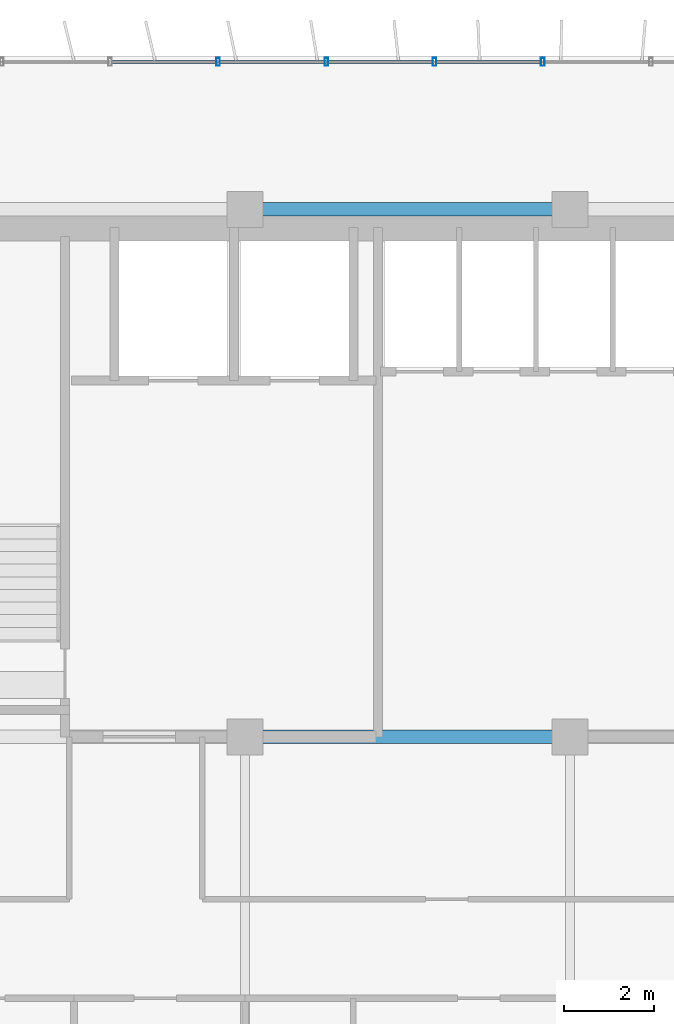
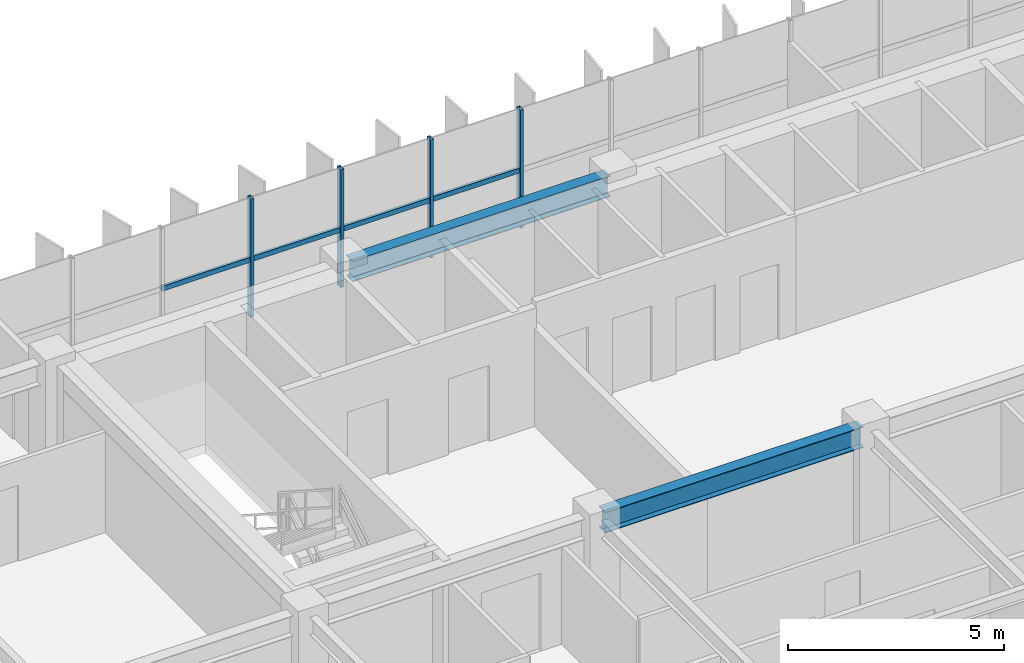
# One storey, part 6 of 22: 8 members, 2 beams, 1 element without a shape of its own.
"""IFC4 building model written with IfcOpenShell, lengths in metres."""

from ifc_helpers import new_model, si_unit, direction, frame, origin, origin_2d, place, context, subcontext, project, spatial, hollow_rectangle, i_section, extrude, source, transform, mapped, material, material_profile, profile_set, type_object, element, aggregate, save


model = new_model("IFC4")

# Units and contexts
model_context = context("Model", 3, precision=1e-05, world=origin(), true_north=direction((0.0, 1.0)))
body_context = subcontext(model_context, "Body", "Model", "MODEL_VIEW")
ifc_project = project(units=[si_unit("LENGTHUNIT", "METRE"), si_unit("AREAUNIT", "SQUARE_METRE"), si_unit("VOLUMEUNIT", "CUBIC_METRE"), si_unit("PLANEANGLEUNIT", "RADIAN"), si_unit("MASSUNIT", "GRAM", prefix="KILO")], contexts=[model_context])

# Site, building, storey
site_placement = place(None, origin())
site = spatial("IfcSite", under=ifc_project, at=site_placement, CompositionType="ELEMENT")
building_placement = place(site_placement, origin())
building = spatial("IfcBuilding", under=site, at=building_placement, Name="Trelvane Seafront Commons", CompositionType="ELEMENT")
storey_placement = place(building_placement, frame((0.0, 0.0, 96.10009765625)))
storey = spatial("IfcBuildingStorey", under=building, at=storey_placement, Name="L24", CompositionType="ELEMENT", Elevation=96.10009765625)

# Beams
ifc_material_1 = material(Name="Steel SM355 (S355)", Category="steel")
ifc_material_profile_1 = material_profile(ifc_material_1, i_section(OverallWidth=0.300048828125, OverallDepth=0.587890625, WebThickness=0.011962890625, FlangeThickness=0.02001953125, at=origin_2d()), Name="H-588x300x12x20")
ifc_profile_set_1 = profile_set([ifc_material_profile_1], Name="Steel SM355 (S355)")
beam_type = type_object("IfcBeamType", Name="STR-BM-H588", PredefinedType="BEAM", material=ifc_profile_set_1)
shared_shape_1 = source(origin(), body_context, "Body", "SweptSolid", [
    extrude(i_section(OverallWidth=0.300048828125, OverallDepth=0.587890625, WebThickness=0.011962890625, FlangeThickness=0.02001953125, at=origin_2d()), origin(), (0.0, 0.0, 1.0), 6.89990234375),
])
for number, where, z_axis, x_axis, name in (
    (1, (23.550048828125, 33.39990234375, 3.0458984375), (1.0, 0.0, 0.0), (0.0, 1.0, 0.0), "L24 Primary Girder G-22"),
    (2, (23.550048828125, 45.10009765625, 3.0458984375), (1.0, 0.0, 0.0), (0.0, 1.0, 0.0), "L24 Primary Girder G-31"),
):
    element("IfcBeam", number, at=place(storey_placement, frame(where, z_axis=z_axis, x_axis=x_axis)), inside=storey, type_object=beam_type, Name=name, PredefinedType="BEAM", context=body_context, shape_type="MappedRepresentation", body=[
        mapped(shared_shape_1, transform((0.0, 0.0, 0.0), x_axis=(1.0, 0.0, 0.0), y_axis=(0.0, 1.0, 0.0), z_axis=(0.0, 0.0, 1.0), scale=1.0)),
    ])

# Curtain wall, members
ifc_material_2 = material(Name="Anodised pale-silver aluminium", Category="aluminium")
curtain_wall_type = type_object("IfcCurtainWallType", Name="ARCH-CW4-SKYLOBBY", PredefinedType="NOTDEFINED", material=ifc_material_2)
curtain_wall_placement = place(storey_placement, origin())
curtain_wall = element("IfcCurtainWall", 3, at=curtain_wall_placement, inside=storey, type_object=curtain_wall_type, Name="CW-L24-0049", PredefinedType="NOTDEFINED")
ifc_material_profile_2 = material_profile(ifc_material_2, hollow_rectangle(XDim=0.074951171875, YDim=0.139892578125, WallThickness=0.00390625, at=origin_2d()), Name="TRAN-75x140x4")
ifc_profile_set_2 = profile_set([ifc_material_profile_2], Name="Anodised pale-silver aluminium")
member_type_1 = type_object("IfcMemberType", Name="ARCH-CW-TRAN-140", PredefinedType="USERDEFINED", material=ifc_profile_set_2)
shared_shape_2 = source(origin(), body_context, "Body", "SweptSolid", [
    extrude(hollow_rectangle(XDim=0.074951171875, YDim=0.139892578125, WallThickness=0.00390625, at=origin_2d()), origin(), (0.0, 0.0, 1.0), 2.3759765625),
])
member_1_placement = place(storey_placement, frame((20.412109375, 48.3701171875, 1.602783203125), z_axis=(1.0, 0.0, 0.0), x_axis=(0.0, 1.0, 0.0)))
member_1 = element("IfcMember", 4, at=member_1_placement, type_object=member_type_1, Name="CW-L24-0049-T02", ObjectType="TRANSOM", PredefinedType="USERDEFINED", context=body_context, shape_type="MappedRepresentation", body=[
    mapped(shared_shape_2, transform((0.0, 0.0, 0.0), x_axis=(1.0, 0.0, 0.0), y_axis=(0.0, 1.0, 0.0), z_axis=(0.0, 0.0, 1.0), scale=1.0)),
])
member_2_placement = place(storey_placement, frame((22.81201171875, 48.3701171875, 1.602783203125), z_axis=(1.0, 0.0, 0.0), x_axis=(0.0, 1.0, 0.0)))
member_2 = element("IfcMember", 5, at=member_2_placement, type_object=member_type_1, Name="CW-L24-0049-T03", ObjectType="TRANSOM", PredefinedType="USERDEFINED", context=body_context, shape_type="MappedRepresentation", body=[
    mapped(shared_shape_2, transform((0.0, 0.0, 0.0), x_axis=(1.0, 0.0, 0.0), y_axis=(0.0, 1.0, 0.0), z_axis=(0.0, 0.0, 1.0), scale=1.0)),
])
member_3_placement = place(storey_placement, frame((25.2119140625, 48.3701171875, 1.602783203125), z_axis=(1.0, 0.0, 0.0), x_axis=(0.0, 1.0, 0.0)))
member_3 = element("IfcMember", 6, at=member_3_placement, type_object=member_type_1, Name="CW-L24-0049-T04", ObjectType="TRANSOM", PredefinedType="USERDEFINED", context=body_context, shape_type="MappedRepresentation", body=[
    mapped(shared_shape_2, transform((0.0, 0.0, 0.0), x_axis=(1.0, 0.0, 0.0), y_axis=(0.0, 1.0, 0.0), z_axis=(0.0, 0.0, 1.0), scale=1.0)),
])
member_4_placement = place(storey_placement, frame((27.612060546875, 48.3701171875, 1.602783203125), z_axis=(1.0, 0.0, 0.0), x_axis=(0.0, 1.0, 0.0)))
member_4 = element("IfcMember", 7, at=member_4_placement, type_object=member_type_1, Name="CW-L24-0049-T05", ObjectType="TRANSOM", PredefinedType="USERDEFINED", context=body_context, shape_type="MappedRepresentation", body=[
    mapped(shared_shape_2, transform((0.0, 0.0, 0.0), x_axis=(1.0, 0.0, 0.0), y_axis=(0.0, 1.0, 0.0), z_axis=(0.0, 0.0, 1.0), scale=1.0)),
])
ifc_material_profile_3 = material_profile(ifc_material_2, hollow_rectangle(XDim=0.080078125, YDim=0.179931640625, WallThickness=0.00439453125, at=origin_2d()), Name="MULL-80x180x4.5")
ifc_profile_set_3 = profile_set([ifc_material_profile_3], Name="Anodised pale-silver aluminium")
member_type_2 = type_object("IfcMemberType", Name="ARCH-CW-MULL-180", PredefinedType="MULLION", material=ifc_profile_set_3)
shared_shape_3 = source(origin(), body_context, "Body", "SweptSolid", [
    extrude(hollow_rectangle(XDim=0.080078125, YDim=0.179931640625, WallThickness=0.00439453125, at=origin_2d()), origin(), (0.0, 0.0, 1.0), 3.33984375),
])
member_5_placement = place(storey_placement, frame((22.800048828125, 48.3701171875, 0.0), z_axis=(0.0, 0.0, 1.0), x_axis=(1.0, 0.0, 0.0)))
member_5 = element("IfcMember", 8, at=member_5_placement, type_object=member_type_2, Name="CW-L24-0049-M03", PredefinedType="MULLION", context=body_context, shape_type="MappedRepresentation", body=[
    mapped(shared_shape_3, transform((0.0, 0.0, 0.0), x_axis=(1.0, 0.0, 0.0), y_axis=(0.0, 1.0, 0.0), z_axis=(0.0, 0.0, 1.0), scale=1.0)),
])
member_6_placement = place(storey_placement, frame((25.199951171875, 48.3701171875, 0.0), z_axis=(0.0, 0.0, 1.0), x_axis=(1.0, 0.0, 0.0)))
member_6 = element("IfcMember", 9, at=member_6_placement, type_object=member_type_2, Name="CW-L24-0049-M04", PredefinedType="MULLION", context=body_context, shape_type="MappedRepresentation", body=[
    mapped(shared_shape_3, transform((0.0, 0.0, 0.0), x_axis=(1.0, 0.0, 0.0), y_axis=(0.0, 1.0, 0.0), z_axis=(0.0, 0.0, 1.0), scale=1.0)),
])
member_7_placement = place(storey_placement, frame((27.60009765625, 48.3701171875, 0.0), z_axis=(0.0, 0.0, 1.0), x_axis=(1.0, 0.0, 0.0)))
member_7 = element("IfcMember", 10, at=member_7_placement, type_object=member_type_2, Name="CW-L24-0049-M05", PredefinedType="MULLION", context=body_context, shape_type="MappedRepresentation", body=[
    mapped(shared_shape_3, transform((0.0, 0.0, 0.0), x_axis=(1.0, 0.0, 0.0), y_axis=(0.0, 1.0, 0.0), z_axis=(0.0, 0.0, 1.0), scale=1.0)),
])
member_8_placement = place(storey_placement, frame((30.0, 48.3701171875, 0.0), z_axis=(0.0, 0.0, 1.0), x_axis=(1.0, 0.0, 0.0)))
member_8 = element("IfcMember", 11, at=member_8_placement, type_object=member_type_2, Name="CW-L24-0049-M06", PredefinedType="MULLION", context=body_context, shape_type="MappedRepresentation", body=[
    mapped(shared_shape_3, transform((0.0, 0.0, 0.0), x_axis=(1.0, 0.0, 0.0), y_axis=(0.0, 1.0, 0.0), z_axis=(0.0, 0.0, 1.0), scale=1.0)),
])
aggregate(curtain_wall, [member_5, member_6, member_7, member_8, member_1, member_2, member_3, member_4])

save(model, "model.ifc")
